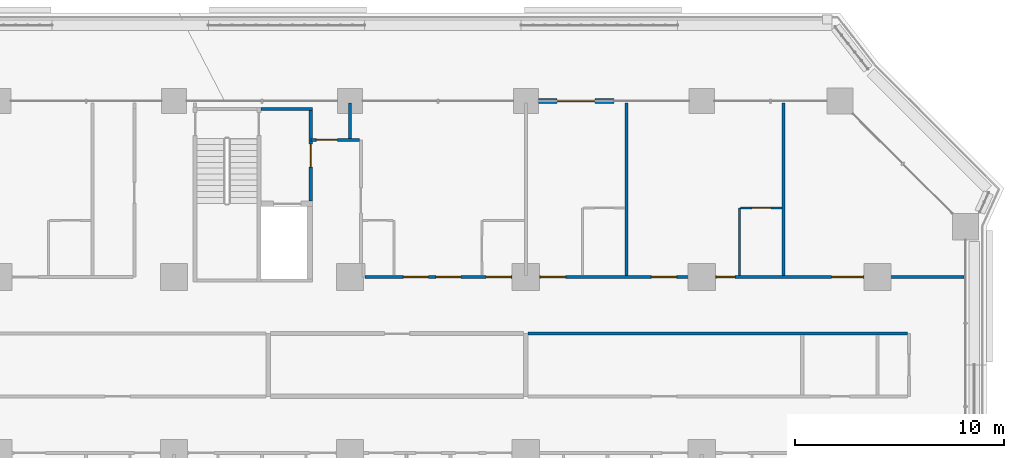
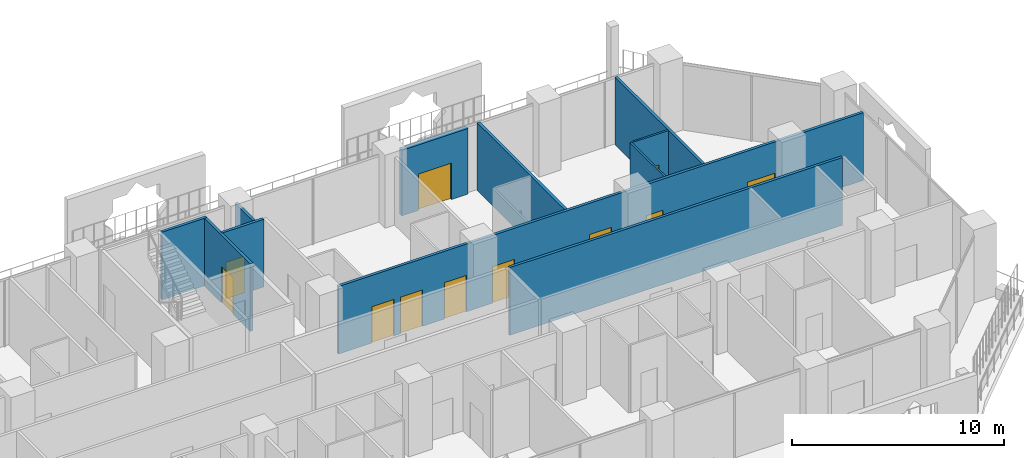
# One storey, part 19 of 28: 11 doors, 11 walls, 11 openings.
"""IFC4 building model written with IfcOpenShell, lengths in metres."""

from ifc_helpers import new_model, si_unit, direction, frame, frame_2d, origin, place, context, subcontext, project, spatial, rectangle, extrude, material, layer, layer_set, type_object, element, fill, save


model = new_model("IFC4")

# Units and contexts
model_context = context("Model", 3, precision=1e-05, world=origin(), true_north=direction((0.0, 1.0)))
body_context = subcontext(model_context, "Body", "Model", "MODEL_VIEW")
ifc_project = project(units=[si_unit("LENGTHUNIT", "METRE"), si_unit("AREAUNIT", "SQUARE_METRE"), si_unit("VOLUMEUNIT", "CUBIC_METRE"), si_unit("PLANEANGLEUNIT", "RADIAN"), si_unit("MASSUNIT", "GRAM", prefix="KILO")], contexts=[model_context])

# Site, building, storey
site_placement = place(None, origin())
site = spatial("IfcSite", under=ifc_project, at=site_placement, CompositionType="ELEMENT")
building_placement = place(site_placement, origin())
building = spatial("IfcBuilding", under=site, at=building_placement, Name="Kawkab Arch Medical Tower", CompositionType="ELEMENT")
storey_placement = place(building_placement, frame((0.0, 0.0, 72.800048828125)))
storey = spatial("IfcBuildingStorey", under=building, at=storey_placement, Name="L16", CompositionType="ELEMENT", Elevation=72.800048828125)

# Wall, opening, door
ifc_material_1 = material(Name="Gypsum board on steel studs", Category="steel")
ifc_layer_1 = layer(ifc_material_1, 0.14990234375)
ifc_layer_set_1 = layer_set([ifc_layer_1], Name="Gypsum board on steel studs")
wall_type_1 = type_object("IfcWallType", Name="Core room partition 150", PredefinedType="PARTITIONING", material=ifc_layer_set_1)
wall_1_placement = place(storey_placement, frame((48.52490234375, -4.77490234375, 0.0), z_axis=(0.0, 0.0, 1.0), x_axis=(0.0, 1.0, 0.0)))
wall_1 = element("IfcWall", 1, at=wall_1_placement, inside=storey, type_object=wall_type_1, Name="L16 core room partition", PredefinedType="PARTITIONING", context=body_context, shape_type="SweptSolid", body=[
    extrude(rectangle(XDim=4.324951171875, YDim=0.14990234375, at=frame_2d((2.16259765625, 0.0))), origin(), (0.0, 0.0, 1.0), 3.89990234375),
])
opening_1_placement = place(wall_1_placement, frame((1.625, 0.0, 0.0)))
opening_1 = element("IfcOpeningElement", 2, at=opening_1_placement, cuts=wall_1, Name="Opening FD", PredefinedType="OPENING", context=body_context, shape_type="SweptSolid", body=[
    extrude(rectangle(XDim=1.10009765625, YDim=2.10009765625, at=frame_2d((0.550048828125, 1.050048828125))), frame((0.0, 0.0849609375, 0.0), z_axis=(0.0, -1.0, 0.0), x_axis=(1.0, 0.0, 0.0)), (0.0, 0.0, 1.0), 0.169921875),
])
ifc_material_2 = material(Name="Hollow metal fire door leaf")
door_type_1 = type_object("IfcDoorType", Name="Firefighting lobby door 1100", OperationType="SINGLE_SWING_LEFT", PredefinedType="DOOR", material=ifc_material_2)
door_1_placement = place(opening_1_placement, origin())
door_1 = element("IfcDoor", 3, at=door_1_placement, inside=storey, type_object=door_type_1, Name="L16 Service lift lobby door SV1", OperationType="SINGLE_SWING_LEFT", OverallHeight=2.10009765625, OverallWidth=1.10009765625, PredefinedType="DOOR", context=body_context, shape_type="SweptSolid", body=[
    extrude(rectangle(XDim=1.10009765625, YDim=2.10009765625, at=frame_2d((0.550048828125, 1.050048828125))), frame((0.0, 0.02490234375, 0.0), z_axis=(0.0, -1.0, 0.0), x_axis=(1.0, 0.0, 0.0)), (0.0, 0.0, 1.0), 0.050048828125),
])
fill(opening_1, door_1)

ifc_material_3 = material(Name="Bronze clad insulated wall panel")
ifc_layer_2 = layer(ifc_material_3, 0.25)
ifc_layer_set_2 = layer_set([ifc_layer_2], Name="Bronze clad insulated wall panel")
wall_type_2 = type_object("IfcWallType", Name="External wall bay 250", PredefinedType="SOLIDWALL", material=ifc_layer_set_2)
wall_2_placement = place(storey_placement, frame((63.0, 0.0, 0.0), z_axis=(0.0, 0.0, 1.0), x_axis=(-1.0, 0.0, 0.0)))
wall_2 = element("IfcWall", 4, at=wall_2_placement, inside=storey, type_object=wall_type_2, Name="External wall bay L16.R11.2.2", PredefinedType="SOLIDWALL", context=body_context, shape_type="SweptSolid", body=[
    extrude(rectangle(XDim=3.60009765625, YDim=0.25, at=frame_2d((1.800048828125, 0.0))), origin(), (0.0, 0.0, 1.0), 3.780029296875),
])
opening_2_placement = place(wall_2_placement, frame((0.89990234375, 0.0, 0.0)))
opening_2 = element("IfcOpeningElement", 5, at=opening_2_placement, cuts=wall_2, Name="Opening W11-701", PredefinedType="OPENING", context=body_context, shape_type="SweptSolid", body=[
    extrude(rectangle(XDim=1.800048828125, YDim=2.10009765625, at=frame_2d((0.89990234375, 1.050048828125))), frame((0.0, 0.135009765625, 0.0), z_axis=(0.0, -1.0, 0.0), x_axis=(1.0, 0.0, 0.0)), (0.0, 0.0, 1.0), 0.27001953125),
])
ifc_material_4 = material(Name="Bronze anodised aluminium door with tinted glass", Category="aluminium")
door_type_2 = type_object("IfcDoorType", Name="Double external door 1800 x 2100", OperationType="DOUBLE_DOOR_SINGLE_SWING", PredefinedType="DOOR", material=ifc_material_4)
door_2_placement = place(opening_2_placement, origin())
door_2 = element("IfcDoor", 6, at=door_2_placement, inside=storey, type_object=door_type_2, Name="External door L16.R11.2.2", OperationType="DOUBLE_DOOR_SINGLE_SWING", OverallHeight=2.10009765625, OverallWidth=1.800048828125, PredefinedType="DOOR", context=body_context, shape_type="SweptSolid", body=[
    extrude(rectangle(XDim=1.800048828125, YDim=2.10009765625, at=frame_2d((0.89990234375, 1.050048828125))), frame((0.0, 0.02490234375, 0.0), z_axis=(0.0, -1.0, 0.0), x_axis=(1.0, 0.0, 0.0)), (0.0, 0.0, 1.0), 0.050048828125),
])
fill(opening_2, door_2)

ifc_material_5 = material(Name="Gypsum board partition on steel studs", Category="steel")
ifc_layer_3 = layer(ifc_material_5, 0.10009765625)
ifc_layer_set_3 = layer_set([ifc_layer_3], Name="Gypsum board partition on steel studs")
wall_type_3 = type_object("IfcWallType", Name="Partition 100", PredefinedType="PARTITIONING", material=ifc_layer_set_3)
wall_3_placement = place(storey_placement, frame((69.052001953125, -5.10009765625, 0.0), z_axis=(0.0, 0.0, 1.0), x_axis=(1.0, 0.0, 0.0)))
wall_3 = element("IfcWall", 7, at=wall_3_placement, inside=storey, type_object=wall_type_3, Name="Partition 100 w020", PredefinedType="PARTITIONING", context=body_context, shape_type="SweptSolid", body=[
    extrude(rectangle(XDim=1.972900390625, YDim=0.10009765625, at=frame_2d((0.986328125, 0.0))), origin(), (0.0, 0.0, 1.0), 3.89990234375),
])
opening_3_placement = place(wall_3_placement, frame((0.549072265625, 0.0, 0.0)))
opening_3 = element("IfcOpeningElement", 8, at=opening_3_placement, cuts=wall_3, Name="Opening W11-009", PredefinedType="OPENING", context=body_context, shape_type="SweptSolid", body=[
    extrude(rectangle(XDim=0.89990234375, YDim=2.10009765625, at=frame_2d((0.449951171875, 1.050048828125))), frame((0.0, 0.06005859375, 0.0), z_axis=(0.0, -1.0, 0.0), x_axis=(1.0, 0.0, 0.0)), (0.0, 0.0, 1.0), 0.1201171875),
])
ifc_material_6 = material(Name="Timber door leaf", Category="wood")
door_type_3 = type_object("IfcDoorType", Name="Single door 900x2100", OperationType="NOTDEFINED", PredefinedType="DOOR", material=ifc_material_6)
door_3_placement = place(opening_3_placement, origin())
door_3 = element("IfcDoor", 9, at=door_3_placement, inside=storey, type_object=door_type_3, Name="Door W11-009", OperationType="SINGLE_SWING_LEFT", OverallHeight=2.10009765625, OverallWidth=0.89990234375, PredefinedType="DOOR", context=body_context, shape_type="SweptSolid", body=[
    extrude(rectangle(XDim=0.89990234375, YDim=2.10009765625, at=frame_2d((0.449951171875, 1.050048828125))), frame((0.0, 0.02490234375, 0.0), z_axis=(0.0, -1.0, 0.0), x_axis=(1.0, 0.0, 0.0)), (0.0, 0.0, 1.0), 0.050048828125),
])
fill(opening_3, door_3)

# Walls
wall_4_placement = place(storey_placement, frame((69.0, -8.324951171875, 0.0), z_axis=(0.0, 0.0, 1.0), x_axis=(0.0, 1.0, 0.0)))
element("IfcWall", 10, at=wall_4_placement, inside=storey, type_object=wall_type_3, Name="Partition 100 w037", PredefinedType="PARTITIONING", context=body_context, shape_type="SweptSolid", body=[
    extrude(rectangle(XDim=3.223876953125, YDim=0.10009765625, at=frame_2d((1.61181640625, 0.0))), origin(), (0.0, 0.0, 1.0), 3.89990234375),
])
ifc_material_7 = material(Name="Gypsum board partition on steel studs, mineral wool", Category="steel")
ifc_layer_4 = layer(ifc_material_7, 0.14990234375)
ifc_layer_set_4 = layer_set([ifc_layer_4], Name="Gypsum board partition on steel studs, mineral wool")
wall_type_4 = type_object("IfcWallType", Name="Partition 150", PredefinedType="PARTITIONING", material=ifc_layer_set_4)
wall_5_placement = place(storey_placement, frame((58.89990234375, -11.10009765625, 0.0), z_axis=(0.0, 0.0, 1.0), x_axis=(1.0, 0.0, 0.0)))
element("IfcWall", 11, at=wall_5_placement, inside=storey, type_object=wall_type_4, Name="Partition 150 w066", PredefinedType="PARTITIONING", context=body_context, shape_type="SweptSolid", body=[
    extrude(rectangle(XDim=18.125, YDim=0.14990234375, at=frame_2d((9.0625, 0.0))), origin(), (0.0, 0.0, 1.0), 3.89990234375),
])

# Wall, openings, doors
wall_6_placement = place(storey_placement, frame((51.125, -8.39990234375, 0.0), z_axis=(0.0, 0.0, 1.0), x_axis=(1.0, 0.0, 0.0)))
wall_6 = element("IfcWall", 12, at=wall_6_placement, inside=storey, type_object=wall_type_4, Name="Partition 150 w069", PredefinedType="PARTITIONING", context=body_context, shape_type="SweptSolid", body=[
    extrude(rectangle(XDim=28.594970703125, YDim=0.14990234375, at=frame_2d((14.29736328125, 0.0))), origin(), (0.0, 0.0, 1.0), 3.89990234375),
])
opening_4_placement = place(wall_6_placement, frame((1.824951171875, 0.0, 0.0)))
opening_4 = element("IfcOpeningElement", 13, at=opening_4_placement, cuts=wall_6, Name="Opening W11-044", PredefinedType="OPENING", context=body_context, shape_type="SweptSolid", body=[
    extrude(rectangle(XDim=1.199951171875, YDim=2.10009765625, at=frame_2d((0.60009765625, 1.050048828125))), frame((0.0, 0.0849609375, 0.0), z_axis=(0.0, -1.0, 0.0), x_axis=(1.0, 0.0, 0.0)), (0.0, 0.0, 1.0), 0.169921875),
])
opening_5_placement = place(wall_6_placement, frame((3.375, 0.0, 0.0)))
opening_5 = element("IfcOpeningElement", 14, at=opening_5_placement, cuts=wall_6, Name="Opening W11-045", PredefinedType="OPENING", context=body_context, shape_type="SweptSolid", body=[
    extrude(rectangle(XDim=1.199951171875, YDim=2.10009765625, at=frame_2d((0.60009765625, 1.050048828125))), frame((0.0, 0.0849609375, 0.0), z_axis=(0.0, -1.0, 0.0), x_axis=(1.0, 0.0, 0.0)), (0.0, 0.0, 1.0), 0.169921875),
])
opening_6_placement = place(wall_6_placement, frame((5.77490234375, 0.0, 0.0)))
opening_6 = element("IfcOpeningElement", 15, at=opening_6_placement, cuts=wall_6, Name="Opening W11-047", PredefinedType="OPENING", context=body_context, shape_type="SweptSolid", body=[
    extrude(rectangle(XDim=1.199951171875, YDim=2.10009765625, at=frame_2d((0.60009765625, 1.050048828125))), frame((0.0, 0.0849609375, 0.0), z_axis=(0.0, -1.0, 0.0), x_axis=(1.0, 0.0, 0.0)), (0.0, 0.0, 1.0), 0.169921875),
])
opening_7_placement = place(wall_6_placement, frame((8.375, 0.0, 0.0)))
opening_7 = element("IfcOpeningElement", 16, at=opening_7_placement, cuts=wall_6, Name="Opening W11-049", PredefinedType="OPENING", context=body_context, shape_type="SweptSolid", body=[
    extrude(rectangle(XDim=1.199951171875, YDim=2.10009765625, at=frame_2d((0.60009765625, 1.050048828125))), frame((0.0, 0.0849609375, 0.0), z_axis=(0.0, -1.0, 0.0), x_axis=(1.0, 0.0, 0.0)), (0.0, 0.0, 1.0), 0.169921875),
])
opening_8_placement = place(wall_6_placement, frame((13.675048828125, 0.0, 0.0)))
opening_8 = element("IfcOpeningElement", 17, at=opening_8_placement, cuts=wall_6, Name="Opening W11-050", PredefinedType="OPENING", context=body_context, shape_type="SweptSolid", body=[
    extrude(rectangle(XDim=1.199951171875, YDim=2.10009765625, at=frame_2d((0.60009765625, 1.050048828125))), frame((0.0, 0.0849609375, 0.0), z_axis=(0.0, -1.0, 0.0), x_axis=(1.0, 0.0, 0.0)), (0.0, 0.0, 1.0), 0.169921875),
])
opening_9_placement = place(wall_6_placement, frame((16.77490234375, 0.0, 0.0)))
opening_9 = element("IfcOpeningElement", 18, at=opening_9_placement, cuts=wall_6, Name="Opening W11-026", PredefinedType="OPENING", context=body_context, shape_type="SweptSolid", body=[
    extrude(rectangle(XDim=0.89990234375, YDim=2.10009765625, at=frame_2d((0.449951171875, 1.050048828125))), frame((0.0, 0.0849609375, 0.0), z_axis=(0.0, -1.0, 0.0), x_axis=(1.0, 0.0, 0.0)), (0.0, 0.0, 1.0), 0.169921875),
])
opening_10_placement = place(wall_6_placement, frame((22.27490234375, 0.0, 0.0)))
opening_10 = element("IfcOpeningElement", 19, at=opening_10_placement, cuts=wall_6, Name="Opening W11-002", PredefinedType="OPENING", context=body_context, shape_type="SweptSolid", body=[
    extrude(rectangle(XDim=1.5, YDim=2.10009765625, at=frame_2d((0.75, 1.050048828125))), frame((0.0, 0.0849609375, 0.0), z_axis=(0.0, -1.0, 0.0), x_axis=(1.0, 0.0, 0.0)), (0.0, 0.0, 1.0), 0.169921875),
])
ifc_material_8 = material(Name="Hollow metal door leaf")
door_type_4 = type_object("IfcDoorType", Name="Double door 1500x2100 FD30S", OperationType="NOTDEFINED", PredefinedType="DOOR", material=ifc_material_8)
door_4_placement = place(opening_10_placement, origin())
door_4 = element("IfcDoor", 20, at=door_4_placement, inside=storey, type_object=door_type_4, Name="Door W11-002", OperationType="DOUBLE_DOOR_SINGLE_SWING", OverallHeight=2.10009765625, OverallWidth=1.5, PredefinedType="DOOR", context=body_context, shape_type="SweptSolid", body=[
    extrude(rectangle(XDim=1.5, YDim=2.10009765625, at=frame_2d((0.75, 1.050048828125))), frame((0.0, 0.02490234375, 0.0), z_axis=(0.0, -1.0, 0.0), x_axis=(1.0, 0.0, 0.0)), (0.0, 0.0, 1.0), 0.050048828125),
])
fill(opening_10, door_4)
ifc_material_9 = material(Name="Hollow metal door leaf")
door_type_5 = type_object("IfcDoorType", Name="Single door 1200x2100 FD30S", OperationType="NOTDEFINED", PredefinedType="DOOR", material=ifc_material_9)
door_5_placement = place(opening_4_placement, origin())
door_5 = element("IfcDoor", 21, at=door_5_placement, inside=storey, type_object=door_type_5, Name="Door W11-044", OperationType="SINGLE_SWING_LEFT", OverallHeight=2.10009765625, OverallWidth=1.199951171875, PredefinedType="DOOR", context=body_context, shape_type="SweptSolid", body=[
    extrude(rectangle(XDim=1.199951171875, YDim=2.10009765625, at=frame_2d((0.60009765625, 1.050048828125))), frame((0.0, 0.02490234375, 0.0), z_axis=(0.0, -1.0, 0.0), x_axis=(1.0, 0.0, 0.0)), (0.0, 0.0, 1.0), 0.050048828125),
])
fill(opening_4, door_5)
door_6_placement = place(opening_5_placement, origin())
door_6 = element("IfcDoor", 22, at=door_6_placement, inside=storey, type_object=door_type_5, Name="Door W11-045", OperationType="SINGLE_SWING_LEFT", OverallHeight=2.10009765625, OverallWidth=1.199951171875, PredefinedType="DOOR", context=body_context, shape_type="SweptSolid", body=[
    extrude(rectangle(XDim=1.199951171875, YDim=2.10009765625, at=frame_2d((0.60009765625, 1.050048828125))), frame((0.0, 0.02490234375, 0.0), z_axis=(0.0, -1.0, 0.0), x_axis=(1.0, 0.0, 0.0)), (0.0, 0.0, 1.0), 0.050048828125),
])
fill(opening_5, door_6)
door_7_placement = place(opening_6_placement, origin())
door_7 = element("IfcDoor", 23, at=door_7_placement, inside=storey, type_object=door_type_5, Name="Door W11-047", OperationType="SINGLE_SWING_LEFT", OverallHeight=2.10009765625, OverallWidth=1.199951171875, PredefinedType="DOOR", context=body_context, shape_type="SweptSolid", body=[
    extrude(rectangle(XDim=1.199951171875, YDim=2.10009765625, at=frame_2d((0.60009765625, 1.050048828125))), frame((0.0, 0.02490234375, 0.0), z_axis=(0.0, -1.0, 0.0), x_axis=(1.0, 0.0, 0.0)), (0.0, 0.0, 1.0), 0.050048828125),
])
fill(opening_6, door_7)
door_8_placement = place(opening_7_placement, origin())
door_8 = element("IfcDoor", 24, at=door_8_placement, inside=storey, type_object=door_type_5, Name="Door W11-049", OperationType="SINGLE_SWING_LEFT", OverallHeight=2.10009765625, OverallWidth=1.199951171875, PredefinedType="DOOR", context=body_context, shape_type="SweptSolid", body=[
    extrude(rectangle(XDim=1.199951171875, YDim=2.10009765625, at=frame_2d((0.60009765625, 1.050048828125))), frame((0.0, 0.02490234375, 0.0), z_axis=(0.0, -1.0, 0.0), x_axis=(1.0, 0.0, 0.0)), (0.0, 0.0, 1.0), 0.050048828125),
])
fill(opening_7, door_8)
door_9_placement = place(opening_8_placement, origin())
door_9 = element("IfcDoor", 25, at=door_9_placement, inside=storey, type_object=door_type_5, Name="Door W11-050", OperationType="SINGLE_SWING_LEFT", OverallHeight=2.10009765625, OverallWidth=1.199951171875, PredefinedType="DOOR", context=body_context, shape_type="SweptSolid", body=[
    extrude(rectangle(XDim=1.199951171875, YDim=2.10009765625, at=frame_2d((0.60009765625, 1.050048828125))), frame((0.0, 0.02490234375, 0.0), z_axis=(0.0, -1.0, 0.0), x_axis=(1.0, 0.0, 0.0)), (0.0, 0.0, 1.0), 0.050048828125),
])
fill(opening_8, door_9)
ifc_material_10 = material(Name="Hollow metal door leaf")
door_type_6 = type_object("IfcDoorType", Name="Single door 900x2100 FD30S", OperationType="NOTDEFINED", PredefinedType="DOOR", material=ifc_material_10)
door_10_placement = place(opening_9_placement, origin())
door_10 = element("IfcDoor", 26, at=door_10_placement, inside=storey, type_object=door_type_6, Name="Door W11-026", OperationType="SINGLE_SWING_RIGHT", OverallHeight=2.10009765625, OverallWidth=0.89990234375, PredefinedType="DOOR", context=body_context, shape_type="SweptSolid", body=[
    extrude(rectangle(XDim=0.89990234375, YDim=2.10009765625, at=frame_2d((0.449951171875, 1.050048828125))), frame((0.0, 0.02490234375, 0.0), z_axis=(0.0, -1.0, 0.0), x_axis=(1.0, 0.0, 0.0)), (0.0, 0.0, 1.0), 0.050048828125),
])
fill(opening_9, door_10)

# Wall, opening, door
wall_7_placement = place(storey_placement, frame((48.550048828125, -1.85009765625, 0.0), z_axis=(0.0, 0.0, 1.0), x_axis=(1.0, 0.0, 0.0)))
wall_7 = element("IfcWall", 27, at=wall_7_placement, inside=storey, type_object=wall_type_4, Name="Partition 150 w070", PredefinedType="PARTITIONING", context=body_context, shape_type="SweptSolid", body=[
    extrude(rectangle(XDim=2.300048828125, YDim=0.14990234375, at=frame_2d((1.14990234375, 0.0))), origin(), (0.0, 0.0, 1.0), 3.89990234375),
])
opening_11_placement = place(wall_7_placement, frame((0.25, 0.0, 0.0)))
opening_11 = element("IfcOpeningElement", 28, at=opening_11_placement, cuts=wall_7, Name="Opening W11-031", PredefinedType="OPENING", context=body_context, shape_type="SweptSolid", body=[
    extrude(rectangle(XDim=1.0, YDim=2.10009765625, at=frame_2d((0.5, 1.050048828125))), frame((0.0, 0.0849609375, 0.0), z_axis=(0.0, -1.0, 0.0), x_axis=(1.0, 0.0, 0.0)), (0.0, 0.0, 1.0), 0.169921875),
])
ifc_material_11 = material(Name="Hollow metal door leaf")
door_type_7 = type_object("IfcDoorType", Name="Single door 1000x2100 FD30S", OperationType="NOTDEFINED", PredefinedType="DOOR", material=ifc_material_11)
door_11_placement = place(opening_11_placement, origin())
door_11 = element("IfcDoor", 29, at=door_11_placement, inside=storey, type_object=door_type_7, Name="Door W11-031", OperationType="SINGLE_SWING_LEFT", OverallHeight=2.10009765625, OverallWidth=1.0, PredefinedType="DOOR", context=body_context, shape_type="SweptSolid", body=[
    extrude(rectangle(XDim=1.0, YDim=2.10009765625, at=frame_2d((0.5, 1.050048828125))), frame((0.0, 0.02490234375, 0.0), z_axis=(0.0, -1.0, 0.0), x_axis=(1.0, 0.0, 0.0)), (0.0, 0.0, 1.0), 0.050048828125),
])
fill(opening_11, door_11)

# Walls
wall_8_placement = place(storey_placement, frame((50.39990234375, -1.77490234375, 0.0), z_axis=(0.0, 0.0, 1.0), x_axis=(0.0, 1.0, 0.0)))
element("IfcWall", 30, at=wall_8_placement, inside=storey, type_object=wall_type_4, Name="Partition 150 w091", PredefinedType="PARTITIONING", context=body_context, shape_type="SweptSolid", body=[
    extrude(rectangle(XDim=1.69482421875, YDim=0.14990234375, at=frame_2d((0.847412109375, 0.0))), origin(), (0.0, 0.0, 1.0), 3.89990234375),
])
for number, where, z_axis, x_axis, name in (
    (31, (63.60009765625, -8.324951171875, 0.0), (0.0, 0.0, 1.0), (0.0, 1.0, 0.0), "Partition 150 w097"),
    (32, (71.10009765625, -8.324951171875, 0.0), (0.0, 0.0, 1.0), (0.0, 1.0, 0.0), "Partition 150 w099"),
):
    element("IfcWall", number, at=place(storey_placement, frame(where, z_axis=z_axis, x_axis=x_axis)), inside=storey, type_object=wall_type_4, Name=name, PredefinedType="PARTITIONING", context=body_context, shape_type="SweptSolid", body=[
        extrude(rectangle(XDim=8.244873046875, YDim=0.14990234375, at=frame_2d((4.12255859375, 0.0))), origin(), (0.0, 0.0, 1.0), 3.89990234375),
    ])
ifc_material_12 = material(Name="Concrete C50/60", Category="concrete")
ifc_layer_5 = layer(ifc_material_12, 0.14990234375)
ifc_layer_set_5 = layer_set([ifc_layer_5], Name="Concrete C50/60")
wall_type_5 = type_object("IfcWallType", Name="Stair enclosure wall 150 C50/60", PredefinedType="SHEAR", material=ifc_layer_set_5)
wall_9_placement = place(storey_placement, frame((46.14990234375, -0.375, 0.0), z_axis=(0.0, 0.0, 1.0), x_axis=(1.0, 0.0, 0.0)))
element("IfcWall", 33, at=wall_9_placement, inside=storey, type_object=wall_type_5, Name="L16 stair enclosure wall", PredefinedType="SHEAR", context=body_context, shape_type="SweptSolid", body=[
    extrude(rectangle(XDim=2.4501953125, YDim=0.14990234375, at=frame_2d((1.22509765625, 0.0))), origin(), (0.0, 0.0, 1.0), 3.89990234375),
])

save(model, "model.ifc")
